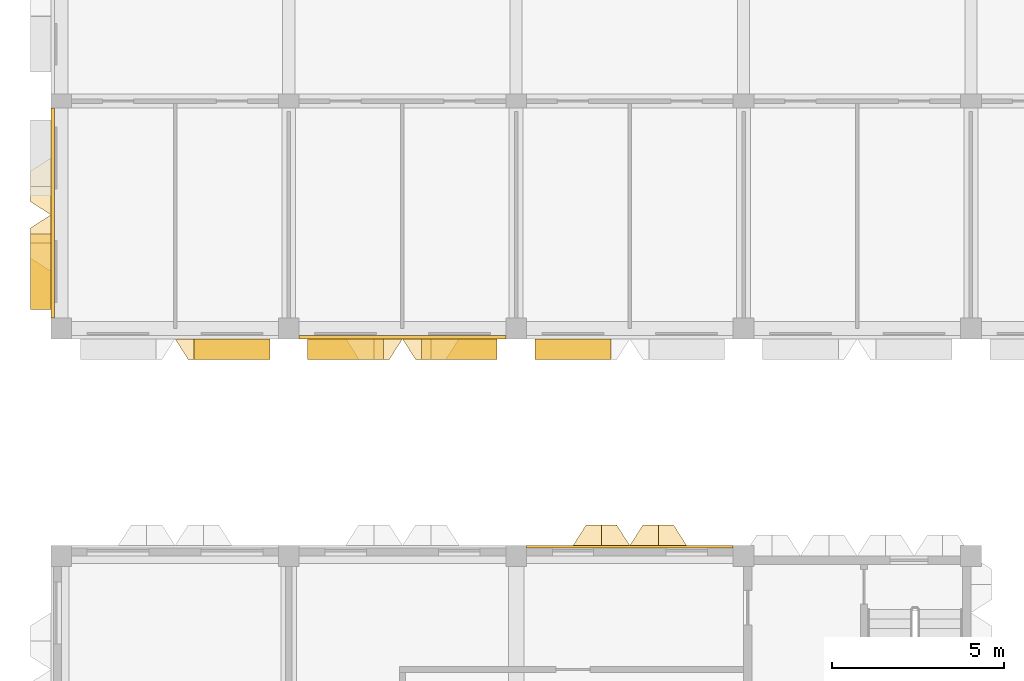
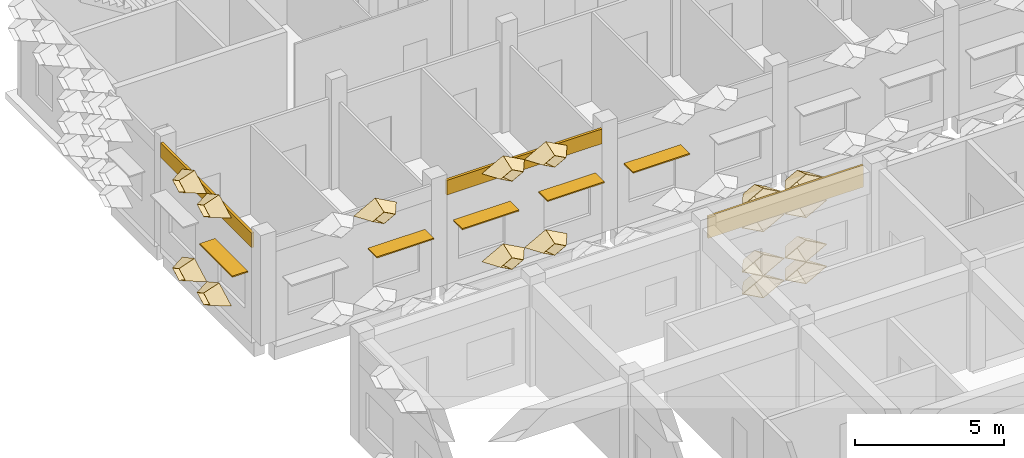
# One storey, part 69 of 87: 20 coverings, 5 shading devices.
"""IFC4 building model written with IfcOpenShell, lengths in metres."""

import ifcopenshell
import ifcopenshell.guid

model = None  # the IFC model being written
_history = None  # IfcOwnerHistory: only IFC2X3 demands one
_inside = {}  # id of a spatial element -> (the spatial element, [elements in it])
_under = {}  # id of a project, library or spatial element -> (it, [spatial elements below it])
_declared = {}  # id of a project -> (the project, [libraries it declares])
_typed = {}  # id of a type object -> (the type object, [elements of that type])
_made_of = {}  # id of a material, layer set ... -> (it, [elements and type objects made of it])


def new_model(schema):
    """Start an empty IFC model of exactly this schema.

    Asked for "IFC4X3", IfcOpenShell would pick the latest addendum, in which some entities
    have other attributes; the version numbers below select the first issue.
    IFC2X3 requires an IfcOwnerHistory on every rooted entity: one is made here for all.
    """
    global model, _history
    if schema == "IFC4X3":
        model = ifcopenshell.file(schema_version=(4, 3, 0, 0))
    else:
        model = ifcopenshell.file(schema=schema)
    _inside.clear()
    _under.clear()
    _declared.clear()
    _typed.clear()
    _made_of.clear()
    _history = None
    if model.schema == "IFC2X3":
        org = make("IfcOrganization", Name="unknown")
        user = make(
            "IfcPersonAndOrganization",
            ThePerson=make("IfcPerson", FamilyName="unknown"),
            TheOrganization=org,
        )
        app = make(
            "IfcApplication",
            ApplicationDeveloper=org,
            Version="unknown",
            ApplicationFullName="unknown",
            ApplicationIdentifier="unknown",
        )
        _history = make(
            "IfcOwnerHistory",
            OwningUser=user,
            OwningApplication=app,
            ChangeAction="ADDED",
            CreationDate=0,
        )
    return model


def make(cls, **values):
    """One entity of the class cls with the attributes given. An attribute that is None is left unset."""
    return model.create_entity(
        cls, **{name: value for name, value in values.items() if value is not None}
    )


def entity(cls, *values):
    """Any entity or typed value of the class cls, its attributes in the order of the schema. None: left unset."""
    e = model.create_entity(cls)
    for i, value in enumerate(values):
        if value is not None:
            e[i] = value
    return e


def rooted(cls, **values):
    """An entity with a GlobalId (a new one), such as an element, a storey or a relation."""
    return make(cls, GlobalId=ifcopenshell.guid.new(), OwnerHistory=_history, **values)


def si_unit(unit_type, name, prefix=None):
    """IfcSIUnit, for example si_unit("LENGTHUNIT", "METRE", prefix="MILLI")."""
    return make("IfcSIUnit", UnitType=unit_type, Prefix=prefix, Name=name)


def assignment(units):
    """IfcUnitAssignment: the units of a project."""
    return None if units is None else make("IfcUnitAssignment", Units=units)


def point(xyz):
    """IfcCartesianPoint."""
    return None if xyz is None else make("IfcCartesianPoint", Coordinates=xyz)


def direction(xyz):
    """IfcDirection."""
    return None if xyz is None else make("IfcDirection", DirectionRatios=xyz)


def frame(location, z_axis=None, x_axis=None):
    """IfcAxis2Placement3D, a coordinate frame: its origin and axes. An axis left out is left unset."""
    return make(
        "IfcAxis2Placement3D",
        Location=point(location),
        Axis=direction(z_axis),
        RefDirection=direction(x_axis),
    )


def frame_2d(location, x_axis=None):
    """IfcAxis2Placement2D, a coordinate frame in the plane: its origin and x axis."""
    return make(
        "IfcAxis2Placement2D", Location=point(location), RefDirection=direction(x_axis)
    )


def origin():
    """The frame at (0, 0, 0) with its axes left unset."""
    return frame((0.0, 0.0, 0.0))


def origin_2d():
    """The frame at (0, 0) in the plane with its x axis left unset."""
    return frame_2d((0.0, 0.0))


def place(relative_to, where):
    """IfcLocalPlacement: puts the frame where relative to a parent placement (None: the world)."""
    return make(
        "IfcLocalPlacement", PlacementRelTo=relative_to, RelativePlacement=where
    )


def context(
    kind, dimensions, precision=None, world=None, true_north=None, identifier=None
):
    """IfcGeometricRepresentationContext, for example the 3D "Model" context."""
    return make(
        "IfcGeometricRepresentationContext",
        ContextIdentifier=identifier,
        ContextType=kind,
        CoordinateSpaceDimension=dimensions,
        Precision=precision,
        WorldCoordinateSystem=world,
        TrueNorth=true_north,
    )


def subcontext(parent, identifier, kind, view, scale=None):
    """IfcGeometricRepresentationSubContext, for example "Body" below "Model"."""
    return make(
        "IfcGeometricRepresentationSubContext",
        ContextIdentifier=identifier,
        ContextType=kind,
        ParentContext=parent,
        TargetScale=scale,
        TargetView=view,
    )


def project(units=None, contexts=None):
    """IfcProject with its units and contexts."""
    return rooted(
        "IfcProject",
        Name="project",
        RepresentationContexts=contexts,
        UnitsInContext=assignment(units),
    )


def spatial(cls, under=None, at=None, **own):
    """A site, building, storey or space (cls), placed at a placement, below another one or the project."""
    s = rooted(cls, ObjectPlacement=at, **own)
    if under is not None:
        _under.setdefault(under.id(), (under, []))[1].append(s)
    return s


def profile(cls, at=None, kind="AREA", **sizes):
    """A parametric profile (cls). Its sizes go by their IFC names, for example OverallWidth=200.0."""
    return make(cls, ProfileType=kind, Position=at, **sizes)


def rectangle(**sizes):
    """IfcRectangleProfileDef."""
    return profile("IfcRectangleProfileDef", **sizes)


def extrude(swept, where, along, depth):
    """IfcExtrudedAreaSolid: the profile swept, set in the frame where, extruded along a direction by depth."""
    return make(
        "IfcExtrudedAreaSolid",
        SweptArea=swept,
        Position=where,
        ExtrudedDirection=direction(along),
        Depth=depth,
    )


def shape(context_of_items, identifier, shape_type, items):
    """IfcShapeRepresentation: the items that make up one representation, for example the "Body"."""
    return make(
        "IfcShapeRepresentation",
        ContextOfItems=context_of_items,
        RepresentationIdentifier=identifier,
        RepresentationType=shape_type,
        Items=items,
    )


def material(Name=None, Category=None):
    """IfcMaterial."""
    return make("IfcMaterial", Name=Name, Category=Category)


def layer(
    of_material, thickness, ventilated=None, Name=None, Category=None, Priority=None
):
    """IfcMaterialLayer: one layer of a wall or slab, of a material (None: an air gap)."""
    return make(
        "IfcMaterialLayer",
        Material=of_material,
        LayerThickness=thickness,
        IsVentilated=ventilated,
        Name=Name,
        Category=Category,
        Priority=Priority,
    )


def layer_set(layers, Name=None):
    """IfcMaterialLayerSet."""
    return make("IfcMaterialLayerSet", MaterialLayers=layers, LayerSetName=Name)


def made_of(thing, what):
    """Note that an element or type object is made of a material, layer set ...; save() writes the relation."""
    if what is not None:
        _made_of.setdefault(what.id(), (what, []))[1].append(thing)
    return thing


def type_object(cls, material=None, **own):
    """A type object (cls), such as IfcWallType, which elements share."""
    return made_of(rooted(cls, **own), material)


def element(
    cls,
    number,
    at=None,
    inside=None,
    cuts=None,
    type_object=None,
    material=None,
    context=None,
    identifier="Body",
    shape_type=None,
    held_by="IfcProductDefinitionShape",
    body=None,
    shapes=None,
    **own,
):
    """One element of the class cls, such as IfcWall. Its Tag is "e" and its number.

    at: its placement. inside: the storey or other place that contains it. cuts: it is an
    opening in that element (IfcRelVoidsElement). A single representation is given by context,
    identifier, shape_type and body (its items); several are given by shapes. held_by: the class
    of the entity that holds the representations. save() writes the other relations.
    """
    e = rooted(cls, Tag="e%d" % number, ObjectPlacement=at, **own)
    if body is not None:
        shapes = [shape(context, identifier, shape_type, body)]
    if shapes is not None:
        e.Representation = make(held_by, Representations=shapes)
    if inside is not None:
        _inside.setdefault(inside.id(), (inside, []))[1].append(e)
    if cuts is not None:
        rooted(
            "IfcRelVoidsElement", RelatingBuildingElement=cuts, RelatedOpeningElement=e
        )
    if type_object is not None:
        _typed.setdefault(type_object.id(), (type_object, []))[1].append(e)
    return made_of(e, material)


def aggregate(whole, parts):
    """IfcRelAggregates: a whole, such as a stair, and the parts it consists of."""
    return rooted("IfcRelAggregates", RelatingObject=whole, RelatedObjects=parts)


def save(model, path):
    """Write the relations noted so far, then the file.

    IfcRelAggregates (storeys below a building ...), IfcRelContainedInSpatialStructure (elements
    in a storey), IfcRelDefinesByType, IfcRelAssociatesMaterial and IfcRelDeclares: one each for
    every whole, place, type object, material and project.
    """
    for whole, parts in _under.values():
        aggregate(whole, parts)
    for where, things in _inside.values():
        rooted(
            "IfcRelContainedInSpatialStructure",
            RelatedElements=things,
            RelatingStructure=where,
        )
    for kind, things in _typed.values():
        rooted("IfcRelDefinesByType", RelatedObjects=things, RelatingType=kind)
    for what, things in _made_of.values():
        rooted("IfcRelAssociatesMaterial", RelatedObjects=things, RelatingMaterial=what)
    for by, libraries in _declared.values():
        rooted("IfcRelDeclares", RelatingContext=by, RelatedDefinitions=libraries)
    model.write(path)


model = new_model("IFC4")

# Units and contexts
model_context = context("Model", 3, precision=1e-05, world=origin(), true_north=direction((0.0, 1.0)))
body_context = subcontext(model_context, "Body", "Model", "MODEL_VIEW")
ifc_project = project(units=[si_unit("LENGTHUNIT", "METRE"), si_unit("AREAUNIT", "SQUARE_METRE"), si_unit("VOLUMEUNIT", "CUBIC_METRE"), si_unit("PLANEANGLEUNIT", "RADIAN"), si_unit("MASSUNIT", "GRAM", prefix="KILO")], contexts=[model_context])

# Site, building, storey
site_placement = place(None, origin())
site = spatial("IfcSite", under=ifc_project, at=site_placement, CompositionType="ELEMENT")
building_placement = place(site_placement, origin())
building = spatial("IfcBuilding", under=site, at=building_placement, Name="Lantern Court Research Institute", CompositionType="ELEMENT")
storey_placement = place(building_placement, frame((0.0, 0.0, 5.39990234375)))
storey = spatial("IfcBuildingStorey", under=building, at=storey_placement, Name="L01", CompositionType="ELEMENT", Elevation=5.39990234375)

# Shading devices
ifc_material_1 = material(Name="Aluminium alloy 6063-T6", Category="aluminium")
ifc_layer_1 = layer(ifc_material_1, 0.050048828125)
ifc_layer_set_1 = layer_set([ifc_layer_1], Name="Aluminium alloy 6063-T6")
shading_device_type = type_object("IfcShadingDeviceType", Name="Brise-soleil blade 2200 x 600 x 50 aluminium", PredefinedType="USERDEFINED", material=ifc_layer_set_1)
for number, where, z_axis, x_axis, name in (
    (1, (4.949951171875, 81.89990234375, 2.5), (0.0, 0.0, 1.0), (-1.0, 0.0, 0.0), "Brise-soleil blade L01 S"),
    (2, (8.25, 81.89990234375, 2.5), (0.0, 0.0, 1.0), (-1.0, 0.0, 0.0), "Brise-soleil blade L01 S"),
    (3, (11.550048828125, 81.89990234375, 2.5), (0.0, 0.0, 1.0), (-1.0, 0.0, 0.0), "Brise-soleil blade L01 S"),
    (4, (14.85009765625, 81.89990234375, 2.5), (0.0, 0.0, 1.0), (-1.0, 0.0, 0.0), "Brise-soleil blade L01 S"),
    (5, (-0.60009765625, 84.14990234375, 2.5), (0.0, 0.0, 1.0), (0.0, 1.0, 0.0), "Brise-soleil blade L01 W"),
):
    element("IfcShadingDevice", number, at=place(storey_placement, frame(where, z_axis=z_axis, x_axis=x_axis)), inside=storey, type_object=shading_device_type, Name=name, ObjectType="LOUVRE", PredefinedType="USERDEFINED", context=body_context, shape_type="SweptSolid", body=[
        extrude(rectangle(XDim=2.199951171875, YDim=0.60009765625, at=origin_2d()), origin(), (0.0, 0.0, 1.0), 0.050048828125),
    ])

# Coverings
ifc_material_2 = material(Name="Aluminium composite panel with mineral wool insulation", Category="aluminium")
ifc_layer_2 = layer(ifc_material_2, 0.10009765625)
ifc_layer_set_2 = layer_set([ifc_layer_2], Name="Aluminium composite panel with mineral wool insulation")
covering_type_1 = type_object("IfcCoveringType", Name="Edge fascia panel 100 aluminium faced", PredefinedType="CLADDING", material=ifc_layer_set_2)
covering_1_placement = place(storey_placement, frame((12.89990234375, 82.25, 3.650146484375), z_axis=(0.0, 0.0, 1.0), x_axis=(-1.0, 0.0, 0.0)))
element("IfcCovering", 6, at=covering_1_placement, inside=storey, type_object=covering_type_1, Name="Edge fascia V6S L01 02", PredefinedType="CLADDING", context=body_context, shape_type="SweptSolid", body=[
    extrude(rectangle(XDim=6.0, YDim=0.10009765625, at=frame_2d((3.0, 0.0))), origin(), (0.0, 0.0, 1.0), 0.599853515625),
])
covering_2_placement = place(storey_placement, frame((-0.25, 82.800048828125, 3.650146484375), z_axis=(0.0, 0.0, 1.0), x_axis=(0.0, 1.0, 0.0)))
element("IfcCovering", 7, at=covering_2_placement, inside=storey, type_object=covering_type_1, Name="Edge fascia V6W L01 01", PredefinedType="CLADDING", context=body_context, shape_type="SweptSolid", body=[
    extrude(rectangle(XDim=6.099853515625, YDim=0.10009765625, at=frame_2d((3.0498046875, 0.0))), origin(), (0.0, 0.0, 1.0), 0.599853515625),
])
ifc_material_3 = material(Name="Aluminium composite panel with mineral wool insulation", Category="aluminium")
ifc_layer_3 = layer(ifc_material_3, 0.074951171875)
ifc_layer_set_3 = layer_set([ifc_layer_3], Name="Aluminium composite panel with mineral wool insulation")
covering_type_2 = type_object("IfcCoveringType", Name="Edge fascia panel 75 aluminium faced", PredefinedType="CLADDING", material=ifc_layer_set_3)
covering_3_placement = place(storey_placement, frame((13.5, 76.16259765625, 3.25), z_axis=(0.0, 0.0, 1.0), x_axis=(1.0, 0.0, 0.0)))
element("IfcCovering", 8, at=covering_3_placement, inside=storey, type_object=covering_type_2, Name="Edge fascia V3N L01 03", PredefinedType="CLADDING", context=body_context, shape_type="SweptSolid", body=[
    extrude(rectangle(XDim=6.0, YDim=0.074951171875, at=frame_2d((3.0, 0.0))), origin(), (0.0, 0.0, 1.0), 0.900146484375),
])
ifc_material_4 = material(Name="Anodised aluminium", Category="aluminium")
ifc_layer_4 = layer(ifc_material_4, 0.01611328125)
ifc_layer_set_4 = layer_set([ifc_layer_4], Name="Anodised aluminium")
covering_type_3 = type_object("IfcCoveringType", Name="Fin cassette 1650 x 900 x 600 aluminium", PredefinedType="CLADDING", material=ifc_layer_set_4)
covering_4_placement = place(storey_placement, frame((15.675048828125, 76.199951171875, 0.4501953125), z_axis=(0.0, 1.0, 0.0), x_axis=(-1.0, 0.0, 0.0)))
cartesian_point_1 = entity("IfcCartesianPoint", [0.824951171875, 0.0])
cartesian_point_2 = entity("IfcCartesianPoint", [0.79150390625, 0.0])
cartesian_point_3 = entity("IfcCartesianPoint", [0.44189453125, 0.0])
cartesian_point_4 = entity("IfcCartesianPoint", [0.43359375, 0.0])
element("IfcCovering", 9, at=covering_4_placement, inside=storey, type_object=covering_type_3, Name="Fin cassette V3N-L01 1.10", PredefinedType="CLADDING", context=body_context, shape_type="SweptSolid", body=[
    entity("IfcExtrudedAreaSolidTapered", entity("IfcArbitraryProfileDefWithVoids", "AREA", None, entity("IfcPolyline", [cartesian_point_1, entity("IfcCartesianPoint", [0.0, 0.449951171875]), entity("IfcCartesianPoint", [-0.824951171875, 0.0]), entity("IfcCartesianPoint", [0.0, -0.449951171875]), cartesian_point_1]), [entity("IfcPolyline", [cartesian_point_2, entity("IfcCartesianPoint", [0.0, 0.431884765625]), entity("IfcCartesianPoint", [-0.79150390625, 0.0]), entity("IfcCartesianPoint", [0.0, -0.431884765625]), cartesian_point_2])]), entity("IfcAxis2Placement3D", entity("IfcCartesianPoint", [0.0, 0.0, 0.0])), entity("IfcDirection", [0.0, 0.0, 1.0]), 0.60009765625, entity("IfcArbitraryProfileDefWithVoids", "AREA", None, entity("IfcPolyline", [cartesian_point_3, entity("IfcCartesianPoint", [0.0, 0.240966796875]), entity("IfcCartesianPoint", [-0.44189453125, 0.0]), entity("IfcCartesianPoint", [0.0, -0.240966796875]), cartesian_point_3]), [entity("IfcPolyline", [cartesian_point_4, entity("IfcCartesianPoint", [0.0, 0.236572265625]), entity("IfcCartesianPoint", [-0.43359375, 0.0]), entity("IfcCartesianPoint", [0.0, -0.236572265625]), cartesian_point_4])])),
])
covering_5_placement = place(storey_placement, frame((17.324951171875, 76.199951171875, 0.4501953125), z_axis=(0.0, 1.0, 0.0), x_axis=(-1.0, 0.0, 0.0)))
cartesian_point_5 = entity("IfcCartesianPoint", [0.824951171875, 0.0])
cartesian_point_6 = entity("IfcCartesianPoint", [0.79150390625, 0.0])
cartesian_point_7 = entity("IfcCartesianPoint", [0.44189453125, 0.0])
cartesian_point_8 = entity("IfcCartesianPoint", [0.43359375, 0.0])
element("IfcCovering", 10, at=covering_5_placement, inside=storey, type_object=covering_type_3, Name="Fin cassette V3N-L01 1.11", PredefinedType="CLADDING", context=body_context, shape_type="SweptSolid", body=[
    entity("IfcExtrudedAreaSolidTapered", entity("IfcArbitraryProfileDefWithVoids", "AREA", None, entity("IfcPolyline", [cartesian_point_5, entity("IfcCartesianPoint", [0.0, 0.449951171875]), entity("IfcCartesianPoint", [-0.824951171875, 0.0]), entity("IfcCartesianPoint", [0.0, -0.449951171875]), cartesian_point_5]), [entity("IfcPolyline", [cartesian_point_6, entity("IfcCartesianPoint", [0.0, 0.431884765625]), entity("IfcCartesianPoint", [-0.79150390625, 0.0]), entity("IfcCartesianPoint", [0.0, -0.431884765625]), cartesian_point_6])]), entity("IfcAxis2Placement3D", entity("IfcCartesianPoint", [0.0, 0.0, 0.0])), entity("IfcDirection", [0.0, 0.0, 1.0]), 0.60009765625, entity("IfcArbitraryProfileDefWithVoids", "AREA", None, entity("IfcPolyline", [cartesian_point_7, entity("IfcCartesianPoint", [0.0, 0.240966796875]), entity("IfcCartesianPoint", [-0.44189453125, 0.0]), entity("IfcCartesianPoint", [0.0, -0.240966796875]), cartesian_point_7]), [entity("IfcPolyline", [cartesian_point_8, entity("IfcCartesianPoint", [0.0, 0.236572265625]), entity("IfcCartesianPoint", [-0.43359375, 0.0]), entity("IfcCartesianPoint", [0.0, -0.236572265625]), cartesian_point_8])])),
])
covering_6_placement = place(storey_placement, frame((15.675048828125, 76.199951171875, 1.35009765625), z_axis=(0.0, 1.0, 0.0), x_axis=(-1.0, 0.0, 0.0)))
cartesian_point_9 = entity("IfcCartesianPoint", [0.824951171875, 0.0])
cartesian_point_10 = entity("IfcCartesianPoint", [0.79150390625, 0.0])
cartesian_point_11 = entity("IfcCartesianPoint", [0.44189453125, 0.0])
cartesian_point_12 = entity("IfcCartesianPoint", [0.43359375, 0.0])
element("IfcCovering", 11, at=covering_6_placement, inside=storey, type_object=covering_type_3, Name="Fin cassette V3N-L01 2.10", PredefinedType="CLADDING", context=body_context, shape_type="SweptSolid", body=[
    entity("IfcExtrudedAreaSolidTapered", entity("IfcArbitraryProfileDefWithVoids", "AREA", None, entity("IfcPolyline", [cartesian_point_9, entity("IfcCartesianPoint", [0.0, 0.449951171875]), entity("IfcCartesianPoint", [-0.824951171875, 0.0]), entity("IfcCartesianPoint", [0.0, -0.449951171875]), cartesian_point_9]), [entity("IfcPolyline", [cartesian_point_10, entity("IfcCartesianPoint", [0.0, 0.431884765625]), entity("IfcCartesianPoint", [-0.79150390625, 0.0]), entity("IfcCartesianPoint", [0.0, -0.431884765625]), cartesian_point_10])]), entity("IfcAxis2Placement3D", entity("IfcCartesianPoint", [0.0, 0.0, 0.0])), entity("IfcDirection", [0.0, 0.0, 1.0]), 0.60009765625, entity("IfcArbitraryProfileDefWithVoids", "AREA", None, entity("IfcPolyline", [cartesian_point_11, entity("IfcCartesianPoint", [0.0, 0.240966796875]), entity("IfcCartesianPoint", [-0.44189453125, 0.0]), entity("IfcCartesianPoint", [0.0, -0.240966796875]), cartesian_point_11]), [entity("IfcPolyline", [cartesian_point_12, entity("IfcCartesianPoint", [0.0, 0.236572265625]), entity("IfcCartesianPoint", [-0.43359375, 0.0]), entity("IfcCartesianPoint", [0.0, -0.236572265625]), cartesian_point_12])])),
])
covering_7_placement = place(storey_placement, frame((17.324951171875, 76.199951171875, 1.35009765625), z_axis=(0.0, 1.0, 0.0), x_axis=(-1.0, 0.0, 0.0)))
cartesian_point_13 = entity("IfcCartesianPoint", [0.824951171875, 0.0])
cartesian_point_14 = entity("IfcCartesianPoint", [0.79150390625, 0.0])
cartesian_point_15 = entity("IfcCartesianPoint", [0.44189453125, 0.0])
cartesian_point_16 = entity("IfcCartesianPoint", [0.43359375, 0.0])
element("IfcCovering", 12, at=covering_7_placement, inside=storey, type_object=covering_type_3, Name="Fin cassette V3N-L01 2.11", PredefinedType="CLADDING", context=body_context, shape_type="SweptSolid", body=[
    entity("IfcExtrudedAreaSolidTapered", entity("IfcArbitraryProfileDefWithVoids", "AREA", None, entity("IfcPolyline", [cartesian_point_13, entity("IfcCartesianPoint", [0.0, 0.449951171875]), entity("IfcCartesianPoint", [-0.824951171875, 0.0]), entity("IfcCartesianPoint", [0.0, -0.449951171875]), cartesian_point_13]), [entity("IfcPolyline", [cartesian_point_14, entity("IfcCartesianPoint", [0.0, 0.431884765625]), entity("IfcCartesianPoint", [-0.79150390625, 0.0]), entity("IfcCartesianPoint", [0.0, -0.431884765625]), cartesian_point_14])]), entity("IfcAxis2Placement3D", entity("IfcCartesianPoint", [0.0, 0.0, 0.0])), entity("IfcDirection", [0.0, 0.0, 1.0]), 0.60009765625, entity("IfcArbitraryProfileDefWithVoids", "AREA", None, entity("IfcPolyline", [cartesian_point_15, entity("IfcCartesianPoint", [0.0, 0.240966796875]), entity("IfcCartesianPoint", [-0.44189453125, 0.0]), entity("IfcCartesianPoint", [0.0, -0.240966796875]), cartesian_point_15]), [entity("IfcPolyline", [cartesian_point_16, entity("IfcCartesianPoint", [0.0, 0.236572265625]), entity("IfcCartesianPoint", [-0.43359375, 0.0]), entity("IfcCartesianPoint", [0.0, -0.236572265625]), cartesian_point_16])])),
])
covering_8_placement = place(storey_placement, frame((15.675048828125, 76.199951171875, 3.150146484375), z_axis=(0.0, 1.0, 0.0), x_axis=(-1.0, 0.0, 0.0)))
cartesian_point_17 = entity("IfcCartesianPoint", [0.824951171875, 0.0])
cartesian_point_18 = entity("IfcCartesianPoint", [0.79150390625, 0.0])
cartesian_point_19 = entity("IfcCartesianPoint", [0.44189453125, 0.0])
cartesian_point_20 = entity("IfcCartesianPoint", [0.43359375, 0.0])
element("IfcCovering", 13, at=covering_8_placement, inside=storey, type_object=covering_type_3, Name="Fin cassette V3N-L01 4.10", PredefinedType="CLADDING", context=body_context, shape_type="SweptSolid", body=[
    entity("IfcExtrudedAreaSolidTapered", entity("IfcArbitraryProfileDefWithVoids", "AREA", None, entity("IfcPolyline", [cartesian_point_17, entity("IfcCartesianPoint", [0.0, 0.449951171875]), entity("IfcCartesianPoint", [-0.824951171875, 0.0]), entity("IfcCartesianPoint", [0.0, -0.449951171875]), cartesian_point_17]), [entity("IfcPolyline", [cartesian_point_18, entity("IfcCartesianPoint", [0.0, 0.431884765625]), entity("IfcCartesianPoint", [-0.79150390625, 0.0]), entity("IfcCartesianPoint", [0.0, -0.431884765625]), cartesian_point_18])]), entity("IfcAxis2Placement3D", entity("IfcCartesianPoint", [0.0, 0.0, 0.0])), entity("IfcDirection", [0.0, 0.0, 1.0]), 0.60009765625, entity("IfcArbitraryProfileDefWithVoids", "AREA", None, entity("IfcPolyline", [cartesian_point_19, entity("IfcCartesianPoint", [0.0, 0.240966796875]), entity("IfcCartesianPoint", [-0.44189453125, 0.0]), entity("IfcCartesianPoint", [0.0, -0.240966796875]), cartesian_point_19]), [entity("IfcPolyline", [cartesian_point_20, entity("IfcCartesianPoint", [0.0, 0.236572265625]), entity("IfcCartesianPoint", [-0.43359375, 0.0]), entity("IfcCartesianPoint", [0.0, -0.236572265625]), cartesian_point_20])])),
])
covering_9_placement = place(storey_placement, frame((17.324951171875, 76.199951171875, 3.150146484375), z_axis=(0.0, 1.0, 0.0), x_axis=(-1.0, 0.0, 0.0)))
cartesian_point_21 = entity("IfcCartesianPoint", [0.824951171875, 0.0])
cartesian_point_22 = entity("IfcCartesianPoint", [0.79150390625, 0.0])
cartesian_point_23 = entity("IfcCartesianPoint", [0.44189453125, 0.0])
cartesian_point_24 = entity("IfcCartesianPoint", [0.43359375, 0.0])
element("IfcCovering", 14, at=covering_9_placement, inside=storey, type_object=covering_type_3, Name="Fin cassette V3N-L01 4.11", PredefinedType="CLADDING", context=body_context, shape_type="SweptSolid", body=[
    entity("IfcExtrudedAreaSolidTapered", entity("IfcArbitraryProfileDefWithVoids", "AREA", None, entity("IfcPolyline", [cartesian_point_21, entity("IfcCartesianPoint", [0.0, 0.449951171875]), entity("IfcCartesianPoint", [-0.824951171875, 0.0]), entity("IfcCartesianPoint", [0.0, -0.449951171875]), cartesian_point_21]), [entity("IfcPolyline", [cartesian_point_22, entity("IfcCartesianPoint", [0.0, 0.431884765625]), entity("IfcCartesianPoint", [-0.79150390625, 0.0]), entity("IfcCartesianPoint", [0.0, -0.431884765625]), cartesian_point_22])]), entity("IfcAxis2Placement3D", entity("IfcCartesianPoint", [0.0, 0.0, 0.0])), entity("IfcDirection", [0.0, 0.0, 1.0]), 0.60009765625, entity("IfcArbitraryProfileDefWithVoids", "AREA", None, entity("IfcPolyline", [cartesian_point_23, entity("IfcCartesianPoint", [0.0, 0.240966796875]), entity("IfcCartesianPoint", [-0.44189453125, 0.0]), entity("IfcCartesianPoint", [0.0, -0.240966796875]), cartesian_point_23]), [entity("IfcPolyline", [cartesian_point_24, entity("IfcCartesianPoint", [0.0, 0.236572265625]), entity("IfcCartesianPoint", [-0.43359375, 0.0]), entity("IfcCartesianPoint", [0.0, -0.236572265625]), cartesian_point_24])])),
])
covering_10_placement = place(storey_placement, frame((15.675048828125, 76.199951171875, 4.050048828125), z_axis=(0.0, 1.0, 0.0), x_axis=(-1.0, 0.0, 0.0)))
cartesian_point_25 = entity("IfcCartesianPoint", [0.824951171875, 0.0])
cartesian_point_26 = entity("IfcCartesianPoint", [0.79150390625, 0.0])
cartesian_point_27 = entity("IfcCartesianPoint", [0.44189453125, 0.0])
cartesian_point_28 = entity("IfcCartesianPoint", [0.43359375, 0.0])
element("IfcCovering", 15, at=covering_10_placement, inside=storey, type_object=covering_type_3, Name="Fin cassette V3N-L01 5.10", PredefinedType="CLADDING", context=body_context, shape_type="SweptSolid", body=[
    entity("IfcExtrudedAreaSolidTapered", entity("IfcArbitraryProfileDefWithVoids", "AREA", None, entity("IfcPolyline", [cartesian_point_25, entity("IfcCartesianPoint", [0.0, 0.449951171875]), entity("IfcCartesianPoint", [-0.824951171875, 0.0]), entity("IfcCartesianPoint", [0.0, -0.449951171875]), cartesian_point_25]), [entity("IfcPolyline", [cartesian_point_26, entity("IfcCartesianPoint", [0.0, 0.431884765625]), entity("IfcCartesianPoint", [-0.79150390625, 0.0]), entity("IfcCartesianPoint", [0.0, -0.431884765625]), cartesian_point_26])]), entity("IfcAxis2Placement3D", entity("IfcCartesianPoint", [0.0, 0.0, 0.0])), entity("IfcDirection", [0.0, 0.0, 1.0]), 0.60009765625, entity("IfcArbitraryProfileDefWithVoids", "AREA", None, entity("IfcPolyline", [cartesian_point_27, entity("IfcCartesianPoint", [0.0, 0.240966796875]), entity("IfcCartesianPoint", [-0.44189453125, 0.0]), entity("IfcCartesianPoint", [0.0, -0.240966796875]), cartesian_point_27]), [entity("IfcPolyline", [cartesian_point_28, entity("IfcCartesianPoint", [0.0, 0.236572265625]), entity("IfcCartesianPoint", [-0.43359375, 0.0]), entity("IfcCartesianPoint", [0.0, -0.236572265625]), cartesian_point_28])])),
])
covering_11_placement = place(storey_placement, frame((17.324951171875, 76.199951171875, 4.050048828125), z_axis=(0.0, 1.0, 0.0), x_axis=(-1.0, 0.0, 0.0)))
cartesian_point_29 = entity("IfcCartesianPoint", [0.824951171875, 0.0])
cartesian_point_30 = entity("IfcCartesianPoint", [0.79150390625, 0.0])
cartesian_point_31 = entity("IfcCartesianPoint", [0.44189453125, 0.0])
cartesian_point_32 = entity("IfcCartesianPoint", [0.43359375, 0.0])
element("IfcCovering", 16, at=covering_11_placement, inside=storey, type_object=covering_type_3, Name="Fin cassette V3N-L01 5.11", PredefinedType="CLADDING", context=body_context, shape_type="SweptSolid", body=[
    entity("IfcExtrudedAreaSolidTapered", entity("IfcArbitraryProfileDefWithVoids", "AREA", None, entity("IfcPolyline", [cartesian_point_29, entity("IfcCartesianPoint", [0.0, 0.449951171875]), entity("IfcCartesianPoint", [-0.824951171875, 0.0]), entity("IfcCartesianPoint", [0.0, -0.449951171875]), cartesian_point_29]), [entity("IfcPolyline", [cartesian_point_30, entity("IfcCartesianPoint", [0.0, 0.431884765625]), entity("IfcCartesianPoint", [-0.79150390625, 0.0]), entity("IfcCartesianPoint", [0.0, -0.431884765625]), cartesian_point_30])]), entity("IfcAxis2Placement3D", entity("IfcCartesianPoint", [0.0, 0.0, 0.0])), entity("IfcDirection", [0.0, 0.0, 1.0]), 0.60009765625, entity("IfcArbitraryProfileDefWithVoids", "AREA", None, entity("IfcPolyline", [cartesian_point_31, entity("IfcCartesianPoint", [0.0, 0.240966796875]), entity("IfcCartesianPoint", [-0.44189453125, 0.0]), entity("IfcCartesianPoint", [0.0, -0.240966796875]), cartesian_point_31]), [entity("IfcPolyline", [cartesian_point_32, entity("IfcCartesianPoint", [0.0, 0.236572265625]), entity("IfcCartesianPoint", [-0.43359375, 0.0]), entity("IfcCartesianPoint", [0.0, -0.236572265625]), cartesian_point_32])])),
])
covering_12_placement = place(storey_placement, frame((9.074951171875, 82.199951171875, 0.4501953125), z_axis=(0.0, -1.0, 0.0), x_axis=(1.0, 0.0, 0.0)))
cartesian_point_33 = entity("IfcCartesianPoint", [0.824951171875, 0.0])
cartesian_point_34 = entity("IfcCartesianPoint", [0.79150390625, 0.0])
cartesian_point_35 = entity("IfcCartesianPoint", [0.44189453125, 0.0])
cartesian_point_36 = entity("IfcCartesianPoint", [0.43359375, 0.0])
element("IfcCovering", 17, at=covering_12_placement, inside=storey, type_object=covering_type_3, Name="Fin cassette V6S-L01 1.6", PredefinedType="CLADDING", context=body_context, shape_type="SweptSolid", body=[
    entity("IfcExtrudedAreaSolidTapered", entity("IfcArbitraryProfileDefWithVoids", "AREA", None, entity("IfcPolyline", [cartesian_point_33, entity("IfcCartesianPoint", [0.0, 0.449951171875]), entity("IfcCartesianPoint", [-0.824951171875, 0.0]), entity("IfcCartesianPoint", [0.0, -0.449951171875]), cartesian_point_33]), [entity("IfcPolyline", [cartesian_point_34, entity("IfcCartesianPoint", [0.0, 0.431884765625]), entity("IfcCartesianPoint", [-0.79150390625, 0.0]), entity("IfcCartesianPoint", [0.0, -0.431884765625]), cartesian_point_34])]), entity("IfcAxis2Placement3D", entity("IfcCartesianPoint", [0.0, 0.0, 0.0])), entity("IfcDirection", [0.0, 0.0, 1.0]), 0.60009765625, entity("IfcArbitraryProfileDefWithVoids", "AREA", None, entity("IfcPolyline", [cartesian_point_35, entity("IfcCartesianPoint", [0.0, 0.240966796875]), entity("IfcCartesianPoint", [-0.44189453125, 0.0]), entity("IfcCartesianPoint", [0.0, -0.240966796875]), cartesian_point_35]), [entity("IfcPolyline", [cartesian_point_36, entity("IfcCartesianPoint", [0.0, 0.236572265625]), entity("IfcCartesianPoint", [-0.43359375, 0.0]), entity("IfcCartesianPoint", [0.0, -0.236572265625]), cartesian_point_36])])),
])
covering_13_placement = place(storey_placement, frame((10.72509765625, 82.199951171875, 0.4501953125), z_axis=(0.0, -1.0, 0.0), x_axis=(1.0, 0.0, 0.0)))
cartesian_point_37 = entity("IfcCartesianPoint", [0.824951171875, 0.0])
cartesian_point_38 = entity("IfcCartesianPoint", [0.79150390625, 0.0])
cartesian_point_39 = entity("IfcCartesianPoint", [0.44189453125, 0.0])
cartesian_point_40 = entity("IfcCartesianPoint", [0.43359375, 0.0])
element("IfcCovering", 18, at=covering_13_placement, inside=storey, type_object=covering_type_3, Name="Fin cassette V6S-L01 1.7", PredefinedType="CLADDING", context=body_context, shape_type="SweptSolid", body=[
    entity("IfcExtrudedAreaSolidTapered", entity("IfcArbitraryProfileDefWithVoids", "AREA", None, entity("IfcPolyline", [cartesian_point_37, entity("IfcCartesianPoint", [0.0, 0.449951171875]), entity("IfcCartesianPoint", [-0.824951171875, 0.0]), entity("IfcCartesianPoint", [0.0, -0.449951171875]), cartesian_point_37]), [entity("IfcPolyline", [cartesian_point_38, entity("IfcCartesianPoint", [0.0, 0.431884765625]), entity("IfcCartesianPoint", [-0.79150390625, 0.0]), entity("IfcCartesianPoint", [0.0, -0.431884765625]), cartesian_point_38])]), entity("IfcAxis2Placement3D", entity("IfcCartesianPoint", [0.0, 0.0, 0.0])), entity("IfcDirection", [0.0, 0.0, 1.0]), 0.60009765625, entity("IfcArbitraryProfileDefWithVoids", "AREA", None, entity("IfcPolyline", [cartesian_point_39, entity("IfcCartesianPoint", [0.0, 0.240966796875]), entity("IfcCartesianPoint", [-0.44189453125, 0.0]), entity("IfcCartesianPoint", [0.0, -0.240966796875]), cartesian_point_39]), [entity("IfcPolyline", [cartesian_point_40, entity("IfcCartesianPoint", [0.0, 0.236572265625]), entity("IfcCartesianPoint", [-0.43359375, 0.0]), entity("IfcCartesianPoint", [0.0, -0.236572265625]), cartesian_point_40])])),
])
covering_14_placement = place(storey_placement, frame((4.125, 82.199951171875, 4.050048828125), z_axis=(0.0, -1.0, 0.0), x_axis=(1.0, 0.0, 0.0)))
cartesian_point_41 = entity("IfcCartesianPoint", [0.824951171875, 0.0])
cartesian_point_42 = entity("IfcCartesianPoint", [0.79150390625, 0.0])
cartesian_point_43 = entity("IfcCartesianPoint", [0.44189453125, 0.0])
cartesian_point_44 = entity("IfcCartesianPoint", [0.43359375, 0.0])
element("IfcCovering", 19, at=covering_14_placement, inside=storey, type_object=covering_type_3, Name="Fin cassette V6S-L01 5.3", PredefinedType="CLADDING", context=body_context, shape_type="SweptSolid", body=[
    entity("IfcExtrudedAreaSolidTapered", entity("IfcArbitraryProfileDefWithVoids", "AREA", None, entity("IfcPolyline", [cartesian_point_41, entity("IfcCartesianPoint", [0.0, 0.449951171875]), entity("IfcCartesianPoint", [-0.824951171875, 0.0]), entity("IfcCartesianPoint", [0.0, -0.449951171875]), cartesian_point_41]), [entity("IfcPolyline", [cartesian_point_42, entity("IfcCartesianPoint", [0.0, 0.431884765625]), entity("IfcCartesianPoint", [-0.79150390625, 0.0]), entity("IfcCartesianPoint", [0.0, -0.431884765625]), cartesian_point_42])]), entity("IfcAxis2Placement3D", entity("IfcCartesianPoint", [0.0, 0.0, 0.0])), entity("IfcDirection", [0.0, 0.0, 1.0]), 0.60009765625, entity("IfcArbitraryProfileDefWithVoids", "AREA", None, entity("IfcPolyline", [cartesian_point_43, entity("IfcCartesianPoint", [0.0, 0.240966796875]), entity("IfcCartesianPoint", [-0.44189453125, 0.0]), entity("IfcCartesianPoint", [0.0, -0.240966796875]), cartesian_point_43]), [entity("IfcPolyline", [cartesian_point_44, entity("IfcCartesianPoint", [0.0, 0.236572265625]), entity("IfcCartesianPoint", [-0.43359375, 0.0]), entity("IfcCartesianPoint", [0.0, -0.236572265625]), cartesian_point_44])])),
])
covering_15_placement = place(storey_placement, frame((9.074951171875, 82.199951171875, 4.050048828125), z_axis=(0.0, -1.0, 0.0), x_axis=(1.0, 0.0, 0.0)))
cartesian_point_45 = entity("IfcCartesianPoint", [0.824951171875, 0.0])
cartesian_point_46 = entity("IfcCartesianPoint", [0.79150390625, 0.0])
cartesian_point_47 = entity("IfcCartesianPoint", [0.44189453125, 0.0])
cartesian_point_48 = entity("IfcCartesianPoint", [0.43359375, 0.0])
element("IfcCovering", 20, at=covering_15_placement, inside=storey, type_object=covering_type_3, Name="Fin cassette V6S-L01 5.6", PredefinedType="CLADDING", context=body_context, shape_type="SweptSolid", body=[
    entity("IfcExtrudedAreaSolidTapered", entity("IfcArbitraryProfileDefWithVoids", "AREA", None, entity("IfcPolyline", [cartesian_point_45, entity("IfcCartesianPoint", [0.0, 0.449951171875]), entity("IfcCartesianPoint", [-0.824951171875, 0.0]), entity("IfcCartesianPoint", [0.0, -0.449951171875]), cartesian_point_45]), [entity("IfcPolyline", [cartesian_point_46, entity("IfcCartesianPoint", [0.0, 0.431884765625]), entity("IfcCartesianPoint", [-0.79150390625, 0.0]), entity("IfcCartesianPoint", [0.0, -0.431884765625]), cartesian_point_46])]), entity("IfcAxis2Placement3D", entity("IfcCartesianPoint", [0.0, 0.0, 0.0])), entity("IfcDirection", [0.0, 0.0, 1.0]), 0.60009765625, entity("IfcArbitraryProfileDefWithVoids", "AREA", None, entity("IfcPolyline", [cartesian_point_47, entity("IfcCartesianPoint", [0.0, 0.240966796875]), entity("IfcCartesianPoint", [-0.44189453125, 0.0]), entity("IfcCartesianPoint", [0.0, -0.240966796875]), cartesian_point_47]), [entity("IfcPolyline", [cartesian_point_48, entity("IfcCartesianPoint", [0.0, 0.236572265625]), entity("IfcCartesianPoint", [-0.43359375, 0.0]), entity("IfcCartesianPoint", [0.0, -0.236572265625]), cartesian_point_48])])),
])
covering_16_placement = place(storey_placement, frame((10.72509765625, 82.199951171875, 4.050048828125), z_axis=(0.0, -1.0, 0.0), x_axis=(1.0, 0.0, 0.0)))
cartesian_point_49 = entity("IfcCartesianPoint", [0.824951171875, 0.0])
cartesian_point_50 = entity("IfcCartesianPoint", [0.79150390625, 0.0])
cartesian_point_51 = entity("IfcCartesianPoint", [0.44189453125, 0.0])
cartesian_point_52 = entity("IfcCartesianPoint", [0.43359375, 0.0])
element("IfcCovering", 21, at=covering_16_placement, inside=storey, type_object=covering_type_3, Name="Fin cassette V6S-L01 5.7", PredefinedType="CLADDING", context=body_context, shape_type="SweptSolid", body=[
    entity("IfcExtrudedAreaSolidTapered", entity("IfcArbitraryProfileDefWithVoids", "AREA", None, entity("IfcPolyline", [cartesian_point_49, entity("IfcCartesianPoint", [0.0, 0.449951171875]), entity("IfcCartesianPoint", [-0.824951171875, 0.0]), entity("IfcCartesianPoint", [0.0, -0.449951171875]), cartesian_point_49]), [entity("IfcPolyline", [cartesian_point_50, entity("IfcCartesianPoint", [0.0, 0.431884765625]), entity("IfcCartesianPoint", [-0.79150390625, 0.0]), entity("IfcCartesianPoint", [0.0, -0.431884765625]), cartesian_point_50])]), entity("IfcAxis2Placement3D", entity("IfcCartesianPoint", [0.0, 0.0, 0.0])), entity("IfcDirection", [0.0, 0.0, 1.0]), 0.60009765625, entity("IfcArbitraryProfileDefWithVoids", "AREA", None, entity("IfcPolyline", [cartesian_point_51, entity("IfcCartesianPoint", [0.0, 0.240966796875]), entity("IfcCartesianPoint", [-0.44189453125, 0.0]), entity("IfcCartesianPoint", [0.0, -0.240966796875]), cartesian_point_51]), [entity("IfcPolyline", [cartesian_point_52, entity("IfcCartesianPoint", [0.0, 0.236572265625]), entity("IfcCartesianPoint", [-0.43359375, 0.0]), entity("IfcCartesianPoint", [0.0, -0.236572265625]), cartesian_point_52])])),
])
covering_17_placement = place(storey_placement, frame((-0.300048828125, 84.97509765625, 0.4501953125), z_axis=(-1.0, 0.0, 0.0), x_axis=(0.0, -1.0, 0.0)))
cartesian_point_53 = entity("IfcCartesianPoint", [0.824951171875, 0.0])
cartesian_point_54 = entity("IfcCartesianPoint", [0.79150390625, 0.0])
cartesian_point_55 = entity("IfcCartesianPoint", [0.44189453125, 0.0])
cartesian_point_56 = entity("IfcCartesianPoint", [0.43359375, 0.0])
element("IfcCovering", 22, at=covering_17_placement, inside=storey, type_object=covering_type_3, Name="Fin cassette V6W-L01 1.52", PredefinedType="CLADDING", context=body_context, shape_type="SweptSolid", body=[
    entity("IfcExtrudedAreaSolidTapered", entity("IfcArbitraryProfileDefWithVoids", "AREA", None, entity("IfcPolyline", [cartesian_point_53, entity("IfcCartesianPoint", [0.0, 0.449951171875]), entity("IfcCartesianPoint", [-0.824951171875, 0.0]), entity("IfcCartesianPoint", [0.0, -0.449951171875]), cartesian_point_53]), [entity("IfcPolyline", [cartesian_point_54, entity("IfcCartesianPoint", [0.0, 0.431884765625]), entity("IfcCartesianPoint", [-0.79150390625, 0.0]), entity("IfcCartesianPoint", [0.0, -0.431884765625]), cartesian_point_54])]), entity("IfcAxis2Placement3D", entity("IfcCartesianPoint", [0.0, 0.0, 0.0])), entity("IfcDirection", [0.0, 0.0, 1.0]), 0.60009765625, entity("IfcArbitraryProfileDefWithVoids", "AREA", None, entity("IfcPolyline", [cartesian_point_55, entity("IfcCartesianPoint", [0.0, 0.240966796875]), entity("IfcCartesianPoint", [-0.44189453125, 0.0]), entity("IfcCartesianPoint", [0.0, -0.240966796875]), cartesian_point_55]), [entity("IfcPolyline", [cartesian_point_56, entity("IfcCartesianPoint", [0.0, 0.236572265625]), entity("IfcCartesianPoint", [-0.43359375, 0.0]), entity("IfcCartesianPoint", [0.0, -0.236572265625]), cartesian_point_56])])),
])
covering_18_placement = place(storey_placement, frame((-0.300048828125, 86.625, 0.4501953125), z_axis=(-1.0, 0.0, 0.0), x_axis=(0.0, -1.0, 0.0)))
cartesian_point_57 = entity("IfcCartesianPoint", [0.824951171875, 0.0])
cartesian_point_58 = entity("IfcCartesianPoint", [0.79150390625, 0.0])
cartesian_point_59 = entity("IfcCartesianPoint", [0.44189453125, 0.0])
cartesian_point_60 = entity("IfcCartesianPoint", [0.43359375, 0.0])
element("IfcCovering", 23, at=covering_18_placement, inside=storey, type_object=covering_type_3, Name="Fin cassette V6W-L01 1.53", PredefinedType="CLADDING", context=body_context, shape_type="SweptSolid", body=[
    entity("IfcExtrudedAreaSolidTapered", entity("IfcArbitraryProfileDefWithVoids", "AREA", None, entity("IfcPolyline", [cartesian_point_57, entity("IfcCartesianPoint", [0.0, 0.449951171875]), entity("IfcCartesianPoint", [-0.824951171875, 0.0]), entity("IfcCartesianPoint", [0.0, -0.449951171875]), cartesian_point_57]), [entity("IfcPolyline", [cartesian_point_58, entity("IfcCartesianPoint", [0.0, 0.431884765625]), entity("IfcCartesianPoint", [-0.79150390625, 0.0]), entity("IfcCartesianPoint", [0.0, -0.431884765625]), cartesian_point_58])]), entity("IfcAxis2Placement3D", entity("IfcCartesianPoint", [0.0, 0.0, 0.0])), entity("IfcDirection", [0.0, 0.0, 1.0]), 0.60009765625, entity("IfcArbitraryProfileDefWithVoids", "AREA", None, entity("IfcPolyline", [cartesian_point_59, entity("IfcCartesianPoint", [0.0, 0.240966796875]), entity("IfcCartesianPoint", [-0.44189453125, 0.0]), entity("IfcCartesianPoint", [0.0, -0.240966796875]), cartesian_point_59]), [entity("IfcPolyline", [cartesian_point_60, entity("IfcCartesianPoint", [0.0, 0.236572265625]), entity("IfcCartesianPoint", [-0.43359375, 0.0]), entity("IfcCartesianPoint", [0.0, -0.236572265625]), cartesian_point_60])])),
])
covering_19_placement = place(storey_placement, frame((-0.300048828125, 84.97509765625, 4.050048828125), z_axis=(-1.0, 0.0, 0.0), x_axis=(0.0, -1.0, 0.0)))
cartesian_point_61 = entity("IfcCartesianPoint", [0.824951171875, 0.0])
cartesian_point_62 = entity("IfcCartesianPoint", [0.79150390625, 0.0])
cartesian_point_63 = entity("IfcCartesianPoint", [0.44189453125, 0.0])
cartesian_point_64 = entity("IfcCartesianPoint", [0.43359375, 0.0])
element("IfcCovering", 24, at=covering_19_placement, inside=storey, type_object=covering_type_3, Name="Fin cassette V6W-L01 5.52", PredefinedType="CLADDING", context=body_context, shape_type="SweptSolid", body=[
    entity("IfcExtrudedAreaSolidTapered", entity("IfcArbitraryProfileDefWithVoids", "AREA", None, entity("IfcPolyline", [cartesian_point_61, entity("IfcCartesianPoint", [0.0, 0.449951171875]), entity("IfcCartesianPoint", [-0.824951171875, 0.0]), entity("IfcCartesianPoint", [0.0, -0.449951171875]), cartesian_point_61]), [entity("IfcPolyline", [cartesian_point_62, entity("IfcCartesianPoint", [0.0, 0.431884765625]), entity("IfcCartesianPoint", [-0.79150390625, 0.0]), entity("IfcCartesianPoint", [0.0, -0.431884765625]), cartesian_point_62])]), entity("IfcAxis2Placement3D", entity("IfcCartesianPoint", [0.0, 0.0, 0.0])), entity("IfcDirection", [0.0, 0.0, 1.0]), 0.60009765625, entity("IfcArbitraryProfileDefWithVoids", "AREA", None, entity("IfcPolyline", [cartesian_point_63, entity("IfcCartesianPoint", [0.0, 0.240966796875]), entity("IfcCartesianPoint", [-0.44189453125, 0.0]), entity("IfcCartesianPoint", [0.0, -0.240966796875]), cartesian_point_63]), [entity("IfcPolyline", [cartesian_point_64, entity("IfcCartesianPoint", [0.0, 0.236572265625]), entity("IfcCartesianPoint", [-0.43359375, 0.0]), entity("IfcCartesianPoint", [0.0, -0.236572265625]), cartesian_point_64])])),
])
covering_20_placement = place(storey_placement, frame((-0.300048828125, 86.625, 4.050048828125), z_axis=(-1.0, 0.0, 0.0), x_axis=(0.0, -1.0, 0.0)))
cartesian_point_65 = entity("IfcCartesianPoint", [0.824951171875, 0.0])
cartesian_point_66 = entity("IfcCartesianPoint", [0.79150390625, 0.0])
cartesian_point_67 = entity("IfcCartesianPoint", [0.44189453125, 0.0])
cartesian_point_68 = entity("IfcCartesianPoint", [0.43359375, 0.0])
element("IfcCovering", 25, at=covering_20_placement, inside=storey, type_object=covering_type_3, Name="Fin cassette V6W-L01 5.53", PredefinedType="CLADDING", context=body_context, shape_type="SweptSolid", body=[
    entity("IfcExtrudedAreaSolidTapered", entity("IfcArbitraryProfileDefWithVoids", "AREA", None, entity("IfcPolyline", [cartesian_point_65, entity("IfcCartesianPoint", [0.0, 0.449951171875]), entity("IfcCartesianPoint", [-0.824951171875, 0.0]), entity("IfcCartesianPoint", [0.0, -0.449951171875]), cartesian_point_65]), [entity("IfcPolyline", [cartesian_point_66, entity("IfcCartesianPoint", [0.0, 0.431884765625]), entity("IfcCartesianPoint", [-0.79150390625, 0.0]), entity("IfcCartesianPoint", [0.0, -0.431884765625]), cartesian_point_66])]), entity("IfcAxis2Placement3D", entity("IfcCartesianPoint", [0.0, 0.0, 0.0])), entity("IfcDirection", [0.0, 0.0, 1.0]), 0.60009765625, entity("IfcArbitraryProfileDefWithVoids", "AREA", None, entity("IfcPolyline", [cartesian_point_67, entity("IfcCartesianPoint", [0.0, 0.240966796875]), entity("IfcCartesianPoint", [-0.44189453125, 0.0]), entity("IfcCartesianPoint", [0.0, -0.240966796875]), cartesian_point_67]), [entity("IfcPolyline", [cartesian_point_68, entity("IfcCartesianPoint", [0.0, 0.236572265625]), entity("IfcCartesianPoint", [-0.43359375, 0.0]), entity("IfcCartesianPoint", [0.0, -0.236572265625]), cartesian_point_68])])),
])

save(model, "model.ifc")
